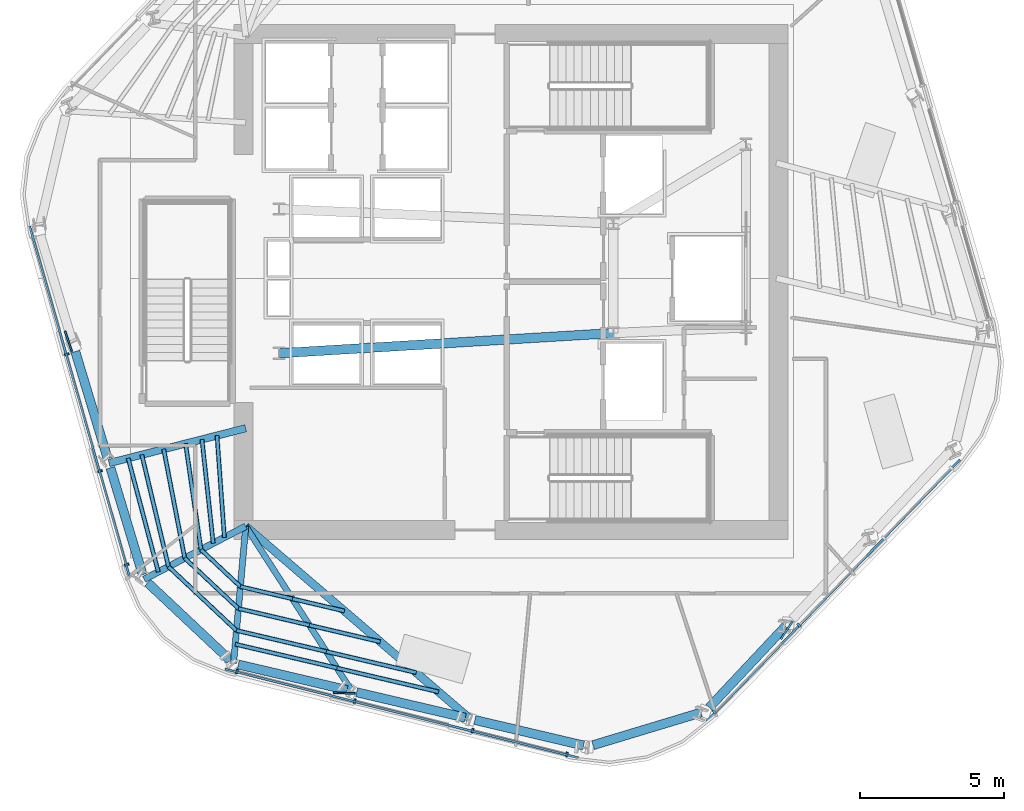
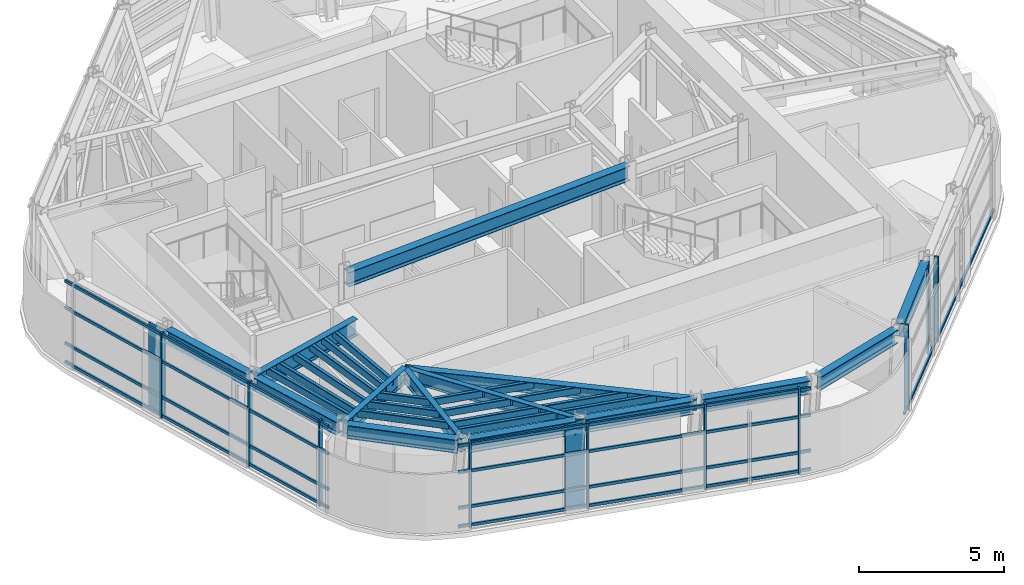
# One storey, part 2 of 13: 38 members, 14 beams, 3 elements without a shape of their own.
"""IFC4 building model written with IfcOpenShell, lengths in metres."""

import ifcopenshell
import ifcopenshell.guid

model = None  # the IFC model being written
_history = None  # IfcOwnerHistory: only IFC2X3 demands one
_inside = {}  # id of a spatial element -> (the spatial element, [elements in it])
_under = {}  # id of a project, library or spatial element -> (it, [spatial elements below it])
_declared = {}  # id of a project -> (the project, [libraries it declares])
_typed = {}  # id of a type object -> (the type object, [elements of that type])
_made_of = {}  # id of a material, layer set ... -> (it, [elements and type objects made of it])


def new_model(schema):
    """Start an empty IFC model of exactly this schema.

    Asked for "IFC4X3", IfcOpenShell would pick the latest addendum, in which some entities
    have other attributes; the version numbers below select the first issue.
    IFC2X3 requires an IfcOwnerHistory on every rooted entity: one is made here for all.
    """
    global model, _history
    if schema == "IFC4X3":
        model = ifcopenshell.file(schema_version=(4, 3, 0, 0))
    else:
        model = ifcopenshell.file(schema=schema)
    _inside.clear()
    _under.clear()
    _declared.clear()
    _typed.clear()
    _made_of.clear()
    _history = None
    if model.schema == "IFC2X3":
        org = make("IfcOrganization", Name="unknown")
        user = make(
            "IfcPersonAndOrganization",
            ThePerson=make("IfcPerson", FamilyName="unknown"),
            TheOrganization=org,
        )
        app = make(
            "IfcApplication",
            ApplicationDeveloper=org,
            Version="unknown",
            ApplicationFullName="unknown",
            ApplicationIdentifier="unknown",
        )
        _history = make(
            "IfcOwnerHistory",
            OwningUser=user,
            OwningApplication=app,
            ChangeAction="ADDED",
            CreationDate=0,
        )
    return model


def make(cls, **values):
    """One entity of the class cls with the attributes given. An attribute that is None is left unset."""
    return model.create_entity(
        cls, **{name: value for name, value in values.items() if value is not None}
    )


def rooted(cls, **values):
    """An entity with a GlobalId (a new one), such as an element, a storey or a relation."""
    return make(cls, GlobalId=ifcopenshell.guid.new(), OwnerHistory=_history, **values)


def si_unit(unit_type, name, prefix=None):
    """IfcSIUnit, for example si_unit("LENGTHUNIT", "METRE", prefix="MILLI")."""
    return make("IfcSIUnit", UnitType=unit_type, Prefix=prefix, Name=name)


def assignment(units):
    """IfcUnitAssignment: the units of a project."""
    return None if units is None else make("IfcUnitAssignment", Units=units)


def point(xyz):
    """IfcCartesianPoint."""
    return None if xyz is None else make("IfcCartesianPoint", Coordinates=xyz)


def direction(xyz):
    """IfcDirection."""
    return None if xyz is None else make("IfcDirection", DirectionRatios=xyz)


def frame(location, z_axis=None, x_axis=None):
    """IfcAxis2Placement3D, a coordinate frame: its origin and axes. An axis left out is left unset."""
    return make(
        "IfcAxis2Placement3D",
        Location=point(location),
        Axis=direction(z_axis),
        RefDirection=direction(x_axis),
    )


def frame_2d(location, x_axis=None):
    """IfcAxis2Placement2D, a coordinate frame in the plane: its origin and x axis."""
    return make(
        "IfcAxis2Placement2D", Location=point(location), RefDirection=direction(x_axis)
    )


def origin():
    """The frame at (0, 0, 0) with its axes left unset."""
    return frame((0.0, 0.0, 0.0))


def origin_2d():
    """The frame at (0, 0) in the plane with its x axis left unset."""
    return frame_2d((0.0, 0.0))


def place(relative_to, where):
    """IfcLocalPlacement: puts the frame where relative to a parent placement (None: the world)."""
    return make(
        "IfcLocalPlacement", PlacementRelTo=relative_to, RelativePlacement=where
    )


def context(
    kind, dimensions, precision=None, world=None, true_north=None, identifier=None
):
    """IfcGeometricRepresentationContext, for example the 3D "Model" context."""
    return make(
        "IfcGeometricRepresentationContext",
        ContextIdentifier=identifier,
        ContextType=kind,
        CoordinateSpaceDimension=dimensions,
        Precision=precision,
        WorldCoordinateSystem=world,
        TrueNorth=true_north,
    )


def subcontext(parent, identifier, kind, view, scale=None):
    """IfcGeometricRepresentationSubContext, for example "Body" below "Model"."""
    return make(
        "IfcGeometricRepresentationSubContext",
        ContextIdentifier=identifier,
        ContextType=kind,
        ParentContext=parent,
        TargetScale=scale,
        TargetView=view,
    )


def project(units=None, contexts=None):
    """IfcProject with its units and contexts."""
    return rooted(
        "IfcProject",
        Name="project",
        RepresentationContexts=contexts,
        UnitsInContext=assignment(units),
    )


def spatial(cls, under=None, at=None, **own):
    """A site, building, storey or space (cls), placed at a placement, below another one or the project."""
    s = rooted(cls, ObjectPlacement=at, **own)
    if under is not None:
        _under.setdefault(under.id(), (under, []))[1].append(s)
    return s


def profile(cls, at=None, kind="AREA", **sizes):
    """A parametric profile (cls). Its sizes go by their IFC names, for example OverallWidth=200.0."""
    return make(cls, ProfileType=kind, Position=at, **sizes)


def rectangle(**sizes):
    """IfcRectangleProfileDef."""
    return profile("IfcRectangleProfileDef", **sizes)


def hollow_rectangle(**sizes):
    """IfcRectangleHollowProfileDef."""
    return profile("IfcRectangleHollowProfileDef", **sizes)


def i_section(**sizes):
    """IfcIShapeProfileDef."""
    return profile("IfcIShapeProfileDef", **sizes)


def extrude(swept, where, along, depth):
    """IfcExtrudedAreaSolid: the profile swept, set in the frame where, extruded along a direction by depth."""
    return make(
        "IfcExtrudedAreaSolid",
        SweptArea=swept,
        Position=where,
        ExtrudedDirection=direction(along),
        Depth=depth,
    )


def shape(context_of_items, identifier, shape_type, items):
    """IfcShapeRepresentation: the items that make up one representation, for example the "Body"."""
    return make(
        "IfcShapeRepresentation",
        ContextOfItems=context_of_items,
        RepresentationIdentifier=identifier,
        RepresentationType=shape_type,
        Items=items,
    )


def material(Name=None, Category=None):
    """IfcMaterial."""
    return make("IfcMaterial", Name=Name, Category=Category)


def layer(
    of_material, thickness, ventilated=None, Name=None, Category=None, Priority=None
):
    """IfcMaterialLayer: one layer of a wall or slab, of a material (None: an air gap)."""
    return make(
        "IfcMaterialLayer",
        Material=of_material,
        LayerThickness=thickness,
        IsVentilated=ventilated,
        Name=Name,
        Category=Category,
        Priority=Priority,
    )


def layer_set(layers, Name=None):
    """IfcMaterialLayerSet."""
    return make("IfcMaterialLayerSet", MaterialLayers=layers, LayerSetName=Name)


def material_profile(
    of_material, cross_section, Name=None, Category=None, Priority=None
):
    """IfcMaterialProfile: a cross section and its material."""
    return make(
        "IfcMaterialProfile",
        Name=Name,
        Material=of_material,
        Profile=cross_section,
        Priority=Priority,
        Category=Category,
    )


def profile_set(profiles, Name=None, composite=None):
    """IfcMaterialProfileSet."""
    return make(
        "IfcMaterialProfileSet",
        Name=Name,
        MaterialProfiles=profiles,
        CompositeProfile=composite,
    )


def made_of(thing, what):
    """Note that an element or type object is made of a material, layer set ...; save() writes the relation."""
    if what is not None:
        _made_of.setdefault(what.id(), (what, []))[1].append(thing)
    return thing


def type_object(cls, material=None, **own):
    """A type object (cls), such as IfcWallType, which elements share."""
    return made_of(rooted(cls, **own), material)


def element(
    cls,
    number,
    at=None,
    inside=None,
    cuts=None,
    type_object=None,
    material=None,
    context=None,
    identifier="Body",
    shape_type=None,
    held_by="IfcProductDefinitionShape",
    body=None,
    shapes=None,
    **own,
):
    """One element of the class cls, such as IfcWall. Its Tag is "e" and its number.

    at: its placement. inside: the storey or other place that contains it. cuts: it is an
    opening in that element (IfcRelVoidsElement). A single representation is given by context,
    identifier, shape_type and body (its items); several are given by shapes. held_by: the class
    of the entity that holds the representations. save() writes the other relations.
    """
    e = rooted(cls, Tag="e%d" % number, ObjectPlacement=at, **own)
    if body is not None:
        shapes = [shape(context, identifier, shape_type, body)]
    if shapes is not None:
        e.Representation = make(held_by, Representations=shapes)
    if inside is not None:
        _inside.setdefault(inside.id(), (inside, []))[1].append(e)
    if cuts is not None:
        rooted(
            "IfcRelVoidsElement", RelatingBuildingElement=cuts, RelatedOpeningElement=e
        )
    if type_object is not None:
        _typed.setdefault(type_object.id(), (type_object, []))[1].append(e)
    return made_of(e, material)


def aggregate(whole, parts):
    """IfcRelAggregates: a whole, such as a stair, and the parts it consists of."""
    return rooted("IfcRelAggregates", RelatingObject=whole, RelatedObjects=parts)


def save(model, path):
    """Write the relations noted so far, then the file.

    IfcRelAggregates (storeys below a building ...), IfcRelContainedInSpatialStructure (elements
    in a storey), IfcRelDefinesByType, IfcRelAssociatesMaterial and IfcRelDeclares: one each for
    every whole, place, type object, material and project.
    """
    for whole, parts in _under.values():
        aggregate(whole, parts)
    for where, things in _inside.values():
        rooted(
            "IfcRelContainedInSpatialStructure",
            RelatedElements=things,
            RelatingStructure=where,
        )
    for kind, things in _typed.values():
        rooted("IfcRelDefinesByType", RelatedObjects=things, RelatingType=kind)
    for what, things in _made_of.values():
        rooted("IfcRelAssociatesMaterial", RelatedObjects=things, RelatingMaterial=what)
    for by, libraries in _declared.values():
        rooted("IfcRelDeclares", RelatingContext=by, RelatedDefinitions=libraries)
    model.write(path)


model = new_model("IFC4")

# Units and contexts
model_context = context("Model", 3, precision=1e-05, world=origin(), true_north=direction((0.0, 1.0)))
body_context = subcontext(model_context, "Body", "Model", "MODEL_VIEW")
ifc_project = project(units=[si_unit("LENGTHUNIT", "METRE"), si_unit("AREAUNIT", "SQUARE_METRE"), si_unit("VOLUMEUNIT", "CUBIC_METRE"), si_unit("PLANEANGLEUNIT", "RADIAN"), si_unit("MASSUNIT", "GRAM", prefix="KILO")], contexts=[model_context])

# Site, building, storey
site_placement = place(None, origin())
site = spatial("IfcSite", under=ifc_project, at=site_placement, CompositionType="ELEMENT")
building_placement = place(site_placement, origin())
building = spatial("IfcBuilding", under=site, at=building_placement, Name="Valkerne Bourse Tower", CompositionType="ELEMENT")
storey_placement = place(building_placement, frame((0.0, 0.0, 220.800048828125)))
storey = spatial("IfcBuildingStorey", under=building, at=storey_placement, Name="L56", CompositionType="ELEMENT", Elevation=220.800048828125)

# Beams
ifc_material_1 = material(Name="Steel ASTM A992", Category="steel")
ifc_material_profile_1 = material_profile(ifc_material_1, i_section(OverallWidth=0.279296875, OverallDepth=0.46240234375, WebThickness=0.0107421875, FlangeThickness=0.017333984375, FilletRadius=0.017822265625, at=origin_2d()), Name="W18X76")
ifc_profile_set_1 = profile_set([ifc_material_profile_1], Name="Steel ASTM A992")
beam_type_1 = type_object("IfcBeamType", Name="BM-W18X76", PredefinedType="BEAM", material=ifc_profile_set_1)
beam_1_placement = place(storey_placement, frame((45.379638671875, 11.721923828125, 3.36865234375), z_axis=(-0.758784075226, 0.651342250421, 0.0), x_axis=(-0.651342250421, -0.758784075226, 0.0)))
element("IfcBeam", 1, at=beam_1_placement, inside=storey, type_object=beam_type_1, Name="L56 Radial Composite Floor Beam 14", PredefinedType="BEAM", context=body_context, shape_type="SweptSolid", body=[
    extrude(i_section(OverallWidth=0.279296875, OverallDepth=0.46240234375, WebThickness=0.0107421875, FlangeThickness=0.017333984375, FilletRadius=0.017822265625, at=origin_2d()), origin(), (0.0, 0.0, 1.0), 10.252685546875),
])
ifc_material_profile_2 = material_profile(ifc_material_1, i_section(OverallWidth=0.31494140625, OverallDepth=0.5537109375, WebThickness=0.0166015625, FlangeThickness=0.026123046875, FilletRadius=0.020263671875, at=origin_2d()), Name="W21X132")
ifc_profile_set_2 = profile_set([ifc_material_profile_2], Name="Steel ASTM A992")
beam_type_2 = type_object("IfcBeamType", Name="BM-W21X132", PredefinedType="BEAM", material=ifc_profile_set_2)
for number, where, z_axis, x_axis, name in (
    (2, (31.690185546875, 24.46044921875, 3.3232421875), (0.289088542169, -0.957302363304, 0.0), (0.957302363304, 0.289088542169, 0.0), "L56 Hexagonal Spandrel Ring Beam 09"),
    (3, (32.90771484375, 20.42822265625, 3.3232421875), (0.289030758957, -0.957319810918, 0.0), (0.957319810918, 0.289030758957, 0.0), "L56 Hexagonal Spandrel Ring Beam 10"),
):
    element("IfcBeam", number, at=place(storey_placement, frame(where, z_axis=z_axis, x_axis=x_axis)), inside=storey, type_object=beam_type_2, Name=name, PredefinedType="BEAM", context=body_context, shape_type="SweptSolid", body=[
        extrude(i_section(OverallWidth=0.31494140625, OverallDepth=0.5537109375, WebThickness=0.0166015625, FlangeThickness=0.026123046875, FilletRadius=0.020263671875, at=origin_2d()), origin(), (0.0, 0.0, 1.0), 3.8720703125),
    ])
beam_2_placement = place(storey_placement, frame((34.199951171875, 16.4423828125, 3.3232421875), z_axis=(0.728984769201, -0.684529916273, 0.0), x_axis=(0.684529916273, 0.728984769201, 0.0)))
element("IfcBeam", 4, at=beam_2_placement, inside=storey, type_object=beam_type_2, Name="L56 Hexagonal Spandrel Ring Beam 11", PredefinedType="BEAM", context=body_context, shape_type="SweptSolid", body=[
    extrude(i_section(OverallWidth=0.31494140625, OverallDepth=0.5537109375, WebThickness=0.0166015625, FlangeThickness=0.026123046875, FilletRadius=0.020263671875, at=origin_2d()), origin(), (0.0, 0.0, 1.0), 3.915771484375),
])
beam_3_placement = place(storey_placement, frame((37.34375, 13.606689453125, 3.3232421875), z_axis=(0.973574050582, -0.228371556972, 0.0), x_axis=(0.228371556972, 0.973574050582, 0.0)))
element("IfcBeam", 5, at=beam_3_placement, inside=storey, type_object=beam_type_2, Name="L56 Hexagonal Spandrel Ring Beam 12", PredefinedType="BEAM", context=body_context, shape_type="SweptSolid", body=[
    extrude(i_section(OverallWidth=0.31494140625, OverallDepth=0.5537109375, WebThickness=0.0166015625, FlangeThickness=0.026123046875, FilletRadius=0.020263671875, at=origin_2d()), origin(), (0.0, 0.0, 1.0), 3.8720703125),
])
beam_4_placement = place(storey_placement, frame((41.444580078125, 12.64501953125, 3.3232421875), z_axis=(0.973570761932, -0.228385576407, 0.0), x_axis=(0.228385576407, 0.973570761932, 0.0)))
element("IfcBeam", 6, at=beam_4_placement, inside=storey, type_object=beam_type_2, Name="L56 Hexagonal Spandrel Ring Beam 13", PredefinedType="BEAM", context=body_context, shape_type="SweptSolid", body=[
    extrude(i_section(OverallWidth=0.31494140625, OverallDepth=0.5537109375, WebThickness=0.0166015625, FlangeThickness=0.026123046875, FilletRadius=0.020263671875, at=origin_2d()), origin(), (0.0, 0.0, 1.0), 3.871826171875),
])
beam_5_placement = place(storey_placement, frame((45.545166015625, 11.68310546875, 3.3232421875), z_axis=(0.973574050582, -0.228371556972, 0.0), x_axis=(0.228371556972, 0.973574050582, 0.0)))
element("IfcBeam", 7, at=beam_5_placement, inside=storey, type_object=beam_type_2, Name="L56 Hexagonal Spandrel Ring Beam 14", PredefinedType="BEAM", context=body_context, shape_type="SweptSolid", body=[
    extrude(i_section(OverallWidth=0.31494140625, OverallDepth=0.5537109375, WebThickness=0.0166015625, FlangeThickness=0.026123046875, FilletRadius=0.020263671875, at=origin_2d()), origin(), (0.0, 0.0, 1.0), 3.8720703125),
])
beam_6_placement = place(storey_placement, frame((49.64306640625, 10.80908203125, 3.3232421875), z_axis=(0.957313388564, 0.28905203005, 0.0), x_axis=(-0.28905203005, 0.957313388564, 0.0)))
element("IfcBeam", 8, at=beam_6_placement, inside=storey, type_object=beam_type_2, Name="L56 Hexagonal Spandrel Ring Beam 15", PredefinedType="BEAM", context=body_context, shape_type="SweptSolid", body=[
    extrude(i_section(OverallWidth=0.31494140625, OverallDepth=0.5537109375, WebThickness=0.0166015625, FlangeThickness=0.026123046875, FilletRadius=0.020263671875, at=origin_2d()), origin(), (0.0, 0.0, 1.0), 3.915771484375),
])
beam_7_placement = place(storey_placement, frame((53.6708984375, 12.114013671875, 3.3232421875), z_axis=(0.684530297446, 0.728984411273, 0.0), x_axis=(-0.728984411273, 0.684530297446, 0.0)))
element("IfcBeam", 9, at=beam_7_placement, inside=storey, type_object=beam_type_2, Name="L56 Hexagonal Spandrel Ring Beam 16", PredefinedType="BEAM", context=body_context, shape_type="SweptSolid", body=[
    extrude(i_section(OverallWidth=0.31494140625, OverallDepth=0.5537109375, WebThickness=0.0166015625, FlangeThickness=0.026123046875, FilletRadius=0.020263671875, at=origin_2d()), origin(), (0.0, 0.0, 1.0), 3.871826171875),
])
ifc_material_profile_3 = material_profile(ifc_material_1, i_section(OverallWidth=0.209228515625, OverallDepth=0.533447265625, WebThickness=0.01025390625, FlangeThickness=0.015625, FilletRadius=0.017822265625, at=origin_2d()), Name="W21X62")
ifc_profile_set_3 = profile_set([ifc_material_profile_3], Name="Steel ASTM A992")
beam_type_3 = type_object("IfcBeamType", Name="BM-W21X62", PredefinedType="JOIST", material=ifc_profile_set_3)
beam_8_placement = place(storey_placement, frame((41.279052734375, 12.68359375, 3.333251953125), z_axis=(-0.541193158417, 0.840898308526, 0.0), x_axis=(-0.840898308526, -0.541193158417, 0.0)))
element("IfcBeam", 10, at=beam_8_placement, inside=storey, type_object=beam_type_3, Name="L56 Radial Composite Floor Beam 13", PredefinedType="JOIST", context=body_context, shape_type="SweptSolid", body=[
    extrude(i_section(OverallWidth=0.209228515625, OverallDepth=0.533447265625, WebThickness=0.01025390625, FlangeThickness=0.015625, FilletRadius=0.017822265625, at=origin_2d()), origin(), (0.0, 0.0, 1.0), 6.7978515625),
])
ifc_material_profile_4 = material_profile(ifc_material_1, i_section(OverallWidth=0.2138671875, OverallDepth=0.548583984375, WebThickness=0.0146484375, FlangeThickness=0.023681640625, FilletRadius=0.017822265625, at=origin_2d()), Name="W21X93")
ifc_profile_set_4 = profile_set([ifc_material_profile_4], Name="Steel ASTM A992")
beam_type_4 = type_object("IfcBeamType", Name="BM-W21X93", PredefinedType="BEAM", material=ifc_profile_set_4)
beam_9_placement = place(storey_placement, frame((37.17822265625, 13.6455078125, 3.32568359375), z_axis=(0.088386415779, 0.996086262081, 0.0), x_axis=(-0.996086262081, 0.088386415779, 0.0)))
element("IfcBeam", 11, at=beam_9_placement, inside=storey, type_object=beam_type_4, Name="L56 Radial Composite Floor Beam 12", PredefinedType="BEAM", context=body_context, shape_type="SweptSolid", body=[
    extrude(i_section(OverallWidth=0.2138671875, OverallDepth=0.548583984375, WebThickness=0.0146484375, FlangeThickness=0.023681640625, FilletRadius=0.017822265625, at=origin_2d()), origin(), (0.0, 0.0, 1.0), 4.773193359375),
])
ifc_material_profile_5 = material_profile(ifc_material_1, i_section(OverallWidth=0.3251953125, OverallDepth=0.612060546875, WebThickness=0.0126953125, FlangeThickness=0.01904296875, FilletRadius=0.020263671875, at=origin_2d()), Name="W24X104")
ifc_profile_set_5 = profile_set([ifc_material_profile_5], Name="Steel ASTM A992")
beam_type_5 = type_object("IfcBeamType", Name="BM-W24X104", PredefinedType="BEAM", material=ifc_profile_set_5)
beam_10_placement = place(storey_placement, frame((38.75, 24.39990234375, 3.2939453125), z_axis=(0.998183228389, 0.060251494276, 0.0), x_axis=(-0.060251494276, 0.998183228389, 0.0)))
element("IfcBeam", 12, at=beam_10_placement, inside=storey, type_object=beam_type_5, Name="L56 Core Frame Girder CG-SW", PredefinedType="BEAM", context=body_context, shape_type="SweptSolid", body=[
    extrude(i_section(OverallWidth=0.3251953125, OverallDepth=0.612060546875, WebThickness=0.0126953125, FlangeThickness=0.01904296875, FilletRadius=0.020263671875, at=origin_2d()), origin(), (0.0, 0.0, 1.0), 11.62109375),
])
ifc_material_profile_6 = material_profile(ifc_material_1, i_section(OverallWidth=0.228271484375, OverallDepth=0.607177734375, WebThickness=0.01123046875, FlangeThickness=0.017333984375, FilletRadius=0.017822265625, at=origin_2d()), Name="W24X76")
ifc_profile_set_6 = profile_set([ifc_material_profile_6], Name="Steel ASTM A992")
beam_type_6 = type_object("IfcBeamType", Name="BM-W24X76", PredefinedType="JOIST", material=ifc_profile_set_6)
beam_11_placement = place(storey_placement, frame((34.075927734375, 16.55859375, 3.29638671875), z_axis=(0.886315373299, 0.463082129922, 0.0), x_axis=(-0.463082129922, 0.886315373299, 0.0)))
element("IfcBeam", 13, at=beam_11_placement, inside=storey, type_object=beam_type_6, Name="L56 Radial Composite Floor Beam 11", PredefinedType="JOIST", context=body_context, shape_type="SweptSolid", body=[
    extrude(i_section(OverallWidth=0.228271484375, OverallDepth=0.607177734375, WebThickness=0.01123046875, FlangeThickness=0.017333984375, FilletRadius=0.017822265625, at=origin_2d()), origin(), (0.0, 0.0, 1.0), 3.976318359375),
])
ifc_material_profile_7 = material_profile(ifc_material_1, i_section(OverallWidth=0.255859375, OverallDepth=0.693359375, WebThickness=0.014404296875, FlangeThickness=0.023681640625, FilletRadius=0.02294921875, at=origin_2d()), Name="W27X114")
ifc_profile_set_7 = profile_set([ifc_material_profile_7], Name="Steel ASTM A992")
beam_type_7 = type_object("IfcBeamType", Name="BM-W27X114", PredefinedType="BEAM", material=ifc_profile_set_7)
beam_12_placement = place(storey_placement, frame((32.858642578125, 20.591064453125, 3.253173828125), z_axis=(0.968996033915, 0.247076276193, 0.0), x_axis=(-0.247076276193, 0.968996033915, 0.0)))
element("IfcBeam", 14, at=beam_12_placement, inside=storey, type_object=beam_type_7, Name="L56 Radial Composite Floor Beam 10", PredefinedType="BEAM", context=body_context, shape_type="SweptSolid", body=[
    extrude(i_section(OverallWidth=0.255859375, OverallDepth=0.693359375, WebThickness=0.014404296875, FlangeThickness=0.023681640625, FilletRadius=0.02294921875, at=origin_2d()), origin(), (0.0, 0.0, 1.0), 4.89306640625),
])

# Curtain wall, members
ifc_material_2 = material(Name="Aluminium AA 6063-T6", Category="aluminium")
ifc_layer = layer(ifc_material_2, 0.239990234375)
ifc_layer_set = layer_set([ifc_layer], Name="Aluminium AA 6063-T6")
curtain_wall_type = type_object("IfcCurtainWallType", Name="CW-04", PredefinedType="NOTDEFINED", material=ifc_layer_set)
curtain_wall_1_placement = place(storey_placement, origin())
curtain_wall_1 = element("IfcCurtainWall", 15, at=curtain_wall_1_placement, inside=storey, type_object=curtain_wall_type, Name="L56 Hexagonal Stick Curtain Wall Face 3", PredefinedType="NOTDEFINED")
ifc_material_profile_8 = material_profile(ifc_material_2, rectangle(XDim=0.074951171875, YDim=0.159912109375, at=origin_2d()), Name="CWM-75X160")
ifc_profile_set_8 = profile_set([ifc_material_profile_8], Name="Aluminium AA 6063-T6")
member_type_1 = type_object("IfcMemberType", Name="CW-MUL-160X75", PredefinedType="MULLION", material=ifc_profile_set_8)
member_1_placement = place(storey_placement, frame((31.393798828125, 24.364501953125, 0.0), z_axis=(0.0, 0.0, 1.0), x_axis=(0.27395280214, -0.961743137329, 0.0)))
member_1 = element("IfcMember", 16, at=member_1_placement, type_object=member_type_1, Name="CW-L56-F3 Jamb Mullion 01A", PredefinedType="MULLION", context=body_context, shape_type="SweptSolid", body=[
    extrude(rectangle(XDim=0.074951171875, YDim=0.159912109375, at=origin_2d()), origin(), (0.0, 0.0, 1.0), 3.599853515625),
])
member_2_placement = place(storey_placement, frame((32.5478515625, 20.313720703125, 0.0), z_axis=(0.0, 0.0, 1.0), x_axis=(0.273959057484, -0.961741355471, 0.0)))
member_2 = element("IfcMember", 17, at=member_2_placement, type_object=member_type_1, Name="CW-L56-F3 Jamb Mullion 02A", PredefinedType="MULLION", context=body_context, shape_type="SweptSolid", body=[
    extrude(rectangle(XDim=0.074951171875, YDim=0.159912109375, at=origin_2d()), origin(), (0.0, 0.0, 1.0), 3.599853515625),
])
member_3_placement = place(storey_placement, frame((33.471435546875, 17.07080078125, 0.0), z_axis=(0.0, 0.0, 1.0), x_axis=(0.273959057484, -0.961741355471, 0.0)))
member_3 = element("IfcMember", 18, at=member_3_placement, type_object=member_type_1, Name="CW-L56-F3 Jamb Mullion 02B", PredefinedType="MULLION", context=body_context, shape_type="SweptSolid", body=[
    extrude(rectangle(XDim=0.074951171875, YDim=0.159912109375, at=origin_2d()), origin(), (0.0, 0.0, 1.0), 3.599853515625),
])

curtain_wall_2_placement = place(storey_placement, origin())
curtain_wall_2 = element("IfcCurtainWall", 19, at=curtain_wall_2_placement, inside=storey, type_object=curtain_wall_type, Name="L56 Hexagonal Stick Curtain Wall Face 4", PredefinedType="NOTDEFINED")
member_4_placement = place(storey_placement, frame((37.294189453125, 13.3662109375, 0.0), z_axis=(0.0, 0.0, 1.0), x_axis=(0.96987236288, -0.243613627949, 0.0)))
member_4 = element("IfcMember", 20, at=member_4_placement, type_object=member_type_1, Name="CW-L56-F4 Jamb Mullion 00A", PredefinedType="MULLION", context=body_context, shape_type="SweptSolid", body=[
    extrude(rectangle(XDim=0.074951171875, YDim=0.159912109375, at=origin_2d()), origin(), (0.0, 0.0, 1.0), 3.599853515625),
])
member_5_placement = place(storey_placement, frame((41.37939453125, 12.340087890625, 0.0), z_axis=(0.0, 0.0, 1.0), x_axis=(0.96987236288, -0.243613627949, 0.0)))
member_5 = element("IfcMember", 21, at=member_5_placement, type_object=member_type_1, Name="CW-L56-F4 Jamb Mullion 01A", PredefinedType="MULLION", context=body_context, shape_type="SweptSolid", body=[
    extrude(rectangle(XDim=0.074951171875, YDim=0.159912109375, at=origin_2d()), origin(), (0.0, 0.0, 1.0), 3.599853515625),
])
member_6_placement = place(storey_placement, frame((45.46435546875, 11.31396484375, 0.0), z_axis=(0.0, 0.0, 1.0), x_axis=(0.96987236288, -0.243613627949, 0.0)))
member_6 = element("IfcMember", 22, at=member_6_placement, type_object=member_type_1, Name="CW-L56-F4 Jamb Mullion 02A", PredefinedType="MULLION", context=body_context, shape_type="SweptSolid", body=[
    extrude(rectangle(XDim=0.074951171875, YDim=0.159912109375, at=origin_2d()), origin(), (0.0, 0.0, 1.0), 3.599853515625),
])
member_7_placement = place(storey_placement, frame((48.73486328125, 10.49267578125, 0.0), z_axis=(0.0, 0.0, 1.0), x_axis=(0.96987236288, -0.243613627949, 0.0)))
member_7 = element("IfcMember", 23, at=member_7_placement, type_object=member_type_1, Name="CW-L56-F4 Jamb Mullion 02B", PredefinedType="MULLION", context=body_context, shape_type="SweptSolid", body=[
    extrude(rectangle(XDim=0.074951171875, YDim=0.159912109375, at=origin_2d()), origin(), (0.0, 0.0, 1.0), 3.599853515625),
])

curtain_wall_3_placement = place(storey_placement, origin())
curtain_wall_3 = element("IfcCurtainWall", 24, at=curtain_wall_3_placement, inside=storey, type_object=curtain_wall_type, Name="L56 Hexagonal Stick Curtain Wall Face 5", PredefinedType="NOTDEFINED")
member_8_placement = place(storey_placement, frame((53.854248046875, 11.950927734375, 0.0), z_axis=(0.0, 0.0, 1.0), x_axis=(0.695920361161, 0.718118967108, 0.0)))
member_8 = element("IfcMember", 25, at=member_8_placement, type_object=member_type_1, Name="CW-L56-F5 Jamb Mullion 00A", PredefinedType="MULLION", context=body_context, shape_type="SweptSolid", body=[
    extrude(rectangle(XDim=0.074951171875, YDim=0.159912109375, at=origin_2d()), origin(), (0.0, 0.0, 1.0), 3.599853515625),
])
member_9_placement = place(storey_placement, frame((56.785400390625, 14.9755859375, 0.0), z_axis=(0.0, 0.0, 1.0), x_axis=(0.695908496203, 0.718130465105, 0.0)))
member_9 = element("IfcMember", 26, at=member_9_placement, type_object=member_type_1, Name="CW-L56-F5 Jamb Mullion 01A", PredefinedType="MULLION", context=body_context, shape_type="SweptSolid", body=[
    extrude(rectangle(XDim=0.074951171875, YDim=0.159912109375, at=origin_2d()), origin(), (0.0, 0.0, 1.0), 3.599853515625),
])

# Member
ifc_material_profile_9 = material_profile(ifc_material_2, rectangle(XDim=0.074951171875, YDim=0.1201171875, at=origin_2d()), Name="CWT-75X120")
ifc_profile_set_9 = profile_set([ifc_material_profile_9], Name="Aluminium AA 6063-T6")
member_type_2 = type_object("IfcMemberType", Name="CW-TRN-120X75", PredefinedType="USERDEFINED", material=ifc_profile_set_9)
member_10_placement = place(storey_placement, frame((30.105712890625, 28.813720703125, 0.119873046875), z_axis=(0.273958028661, -0.961741648538, 0.0), x_axis=(0.961741648538, 0.273958028661, 0.0)))
member_10 = element("IfcMember", 27, at=member_10_placement, type_object=member_type_2, Name="CW-L56-F3 Continuous Face Transom 1", ObjectType="TRANSOM", PredefinedType="USERDEFINED", context=body_context, shape_type="SweptSolid", body=[
    extrude(rectangle(XDim=0.074951171875, YDim=0.1201171875, at=origin_2d()), origin(), (0.0, 0.0, 1.0), 12.6357421875),
])

member_11_placement = place(storey_placement, frame((30.105712890625, 28.813720703125, 0.89990234375), z_axis=(0.273958028661, -0.961741648538, 0.0), x_axis=(0.961741648538, 0.273958028661, 0.0)))
member_11 = element("IfcMember", 28, at=member_11_placement, type_object=member_type_2, Name="CW-L56-F3 Continuous Face Transom 2", ObjectType="TRANSOM", PredefinedType="USERDEFINED", context=body_context, shape_type="SweptSolid", body=[
    extrude(rectangle(XDim=0.074951171875, YDim=0.1201171875, at=origin_2d()), origin(), (0.0, 0.0, 1.0), 12.6357421875),
])

member_12_placement = place(storey_placement, frame((30.105712890625, 28.813720703125, 2.39990234375), z_axis=(0.273958028661, -0.961741648538, 0.0), x_axis=(0.961741648538, 0.273958028661, 0.0)))
member_12 = element("IfcMember", 29, at=member_12_placement, type_object=member_type_2, Name="CW-L56-F3 Continuous Face Transom 3", ObjectType="TRANSOM", PredefinedType="USERDEFINED", context=body_context, shape_type="SweptSolid", body=[
    extrude(rectangle(XDim=0.074951171875, YDim=0.1201171875, at=origin_2d()), origin(), (0.0, 0.0, 1.0), 12.6357421875),
])

member_13_placement = place(storey_placement, frame((30.105712890625, 28.813720703125, 3.52001953125), z_axis=(0.273958028661, -0.961741648538, 0.0), x_axis=(0.961741648538, 0.273958028661, 0.0)))
member_13 = element("IfcMember", 30, at=member_13_placement, type_object=member_type_2, Name="CW-L56-F3 Continuous Face Transom 4", ObjectType="TRANSOM", PredefinedType="USERDEFINED", context=body_context, shape_type="SweptSolid", body=[
    extrude(rectangle(XDim=0.074951171875, YDim=0.1201171875, at=origin_2d()), origin(), (0.0, 0.0, 1.0), 12.6357421875),
])

aggregate(curtain_wall_1, [member_10, member_11, member_12, member_13, member_1, member_2, member_3])

member_14_placement = place(storey_placement, frame((36.882080078125, 13.44921875, 0.119873046875), z_axis=(0.96987025724, -0.243622010748, 0.0), x_axis=(0.243622010748, 0.96987025724, 0.0)))
member_14 = element("IfcMember", 31, at=member_14_placement, type_object=member_type_2, Name="CW-L56-F4 Continuous Face Transom 1", ObjectType="TRANSOM", PredefinedType="USERDEFINED", context=body_context, shape_type="SweptSolid", body=[
    extrude(rectangle(XDim=0.074951171875, YDim=0.1201171875, at=origin_2d()), origin(), (0.0, 0.0, 1.0), 12.6357421875),
])

member_15_placement = place(storey_placement, frame((36.882080078125, 13.44921875, 0.89990234375), z_axis=(0.96987025724, -0.243622010748, 0.0), x_axis=(0.243622010748, 0.96987025724, 0.0)))
member_15 = element("IfcMember", 32, at=member_15_placement, type_object=member_type_2, Name="CW-L56-F4 Continuous Face Transom 2", ObjectType="TRANSOM", PredefinedType="USERDEFINED", context=body_context, shape_type="SweptSolid", body=[
    extrude(rectangle(XDim=0.074951171875, YDim=0.1201171875, at=origin_2d()), origin(), (0.0, 0.0, 1.0), 12.6357421875),
])

member_16_placement = place(storey_placement, frame((36.882080078125, 13.44921875, 2.39990234375), z_axis=(0.96987025724, -0.243622010748, 0.0), x_axis=(0.243622010748, 0.96987025724, 0.0)))
member_16 = element("IfcMember", 33, at=member_16_placement, type_object=member_type_2, Name="CW-L56-F4 Continuous Face Transom 3", ObjectType="TRANSOM", PredefinedType="USERDEFINED", context=body_context, shape_type="SweptSolid", body=[
    extrude(rectangle(XDim=0.074951171875, YDim=0.1201171875, at=origin_2d()), origin(), (0.0, 0.0, 1.0), 12.6357421875),
])

member_17_placement = place(storey_placement, frame((36.882080078125, 13.44921875, 3.52001953125), z_axis=(0.96987025724, -0.243622010748, 0.0), x_axis=(0.243622010748, 0.96987025724, 0.0)))
member_17 = element("IfcMember", 34, at=member_17_placement, type_object=member_type_2, Name="CW-L56-F4 Continuous Face Transom 4", ObjectType="TRANSOM", PredefinedType="USERDEFINED", context=body_context, shape_type="SweptSolid", body=[
    extrude(rectangle(XDim=0.074951171875, YDim=0.1201171875, at=origin_2d()), origin(), (0.0, 0.0, 1.0), 12.6357421875),
])

aggregate(curtain_wall_2, [member_14, member_15, member_16, member_17, member_4, member_5, member_6, member_7])

member_18_placement = place(storey_placement, frame((53.576416015625, 11.635498046875, 0.119873046875), z_axis=(0.695909829674, 0.718129172895, 0.0), x_axis=(-0.718129172895, 0.695909829674, 0.0)))
member_18 = element("IfcMember", 35, at=member_18_placement, type_object=member_type_2, Name="CW-L56-F5 Continuous Face Transom 1", ObjectType="TRANSOM", PredefinedType="USERDEFINED", context=body_context, shape_type="SweptSolid", body=[
    extrude(rectangle(XDim=0.074951171875, YDim=0.1201171875, at=origin_2d()), origin(), (0.0, 0.0, 1.0), 12.635986328125),
])

aggregate(curtain_wall_3, [member_18, member_8, member_9])

# Members
ifc_material_3 = material(Name="Bronze Anodised Aluminium AA 6063-T6", Category="aluminium")
ifc_material_profile_10 = material_profile(ifc_material_3, rectangle(XDim=0.06494140625, YDim=0.75, at=origin_2d()), Name="FIN-65X750")
ifc_profile_set_10 = profile_set([ifc_material_profile_10], Name="Bronze Anodised Aluminium AA 6063-T6")
member_type_3 = type_object("IfcMemberType", Name="FIN-SOLAR-650", PredefinedType="USERDEFINED", material=ifc_profile_set_10)
for number, where, z_axis, x_axis, name in (
    (36, (31.451904296875, 24.81787109375, 0.00390625), (0.0, 0.0, 1.0), (-0.949389668635, -0.314100711698, 0.0), "L56 Bronze Anodised Solar Fin F3-01"),
    (37, (41.015869140625, 12.616943359375, 0.00390625), (0.0, 0.0, 1.0), (-0.016625098356, -0.999861793502, 0.0), "L56 Bronze Anodised Solar Fin F4-01"),
    (38, (56.364013671875, 14.79931640625, 0.00390625), (0.0, 0.0, 1.0), (0.835237740265, -0.54988900447, 0.0), "L56 Bronze Anodised Solar Fin F5-01"),
):
    element("IfcMember", number, at=place(storey_placement, frame(where, z_axis=z_axis, x_axis=x_axis)), inside=storey, type_object=member_type_3, Name=name, ObjectType="SOLAR_FIN", PredefinedType="USERDEFINED", context=body_context, shape_type="SweptSolid", body=[
        extrude(rectangle(XDim=0.06494140625, YDim=0.75, at=origin_2d()), origin(), (0.0, 0.0, 1.0), 3.592041015625),
    ])
ifc_material_4 = material(Name="Steel ASTM A500 Grade C", Category="steel")
ifc_material_profile_11 = material_profile(ifc_material_4, hollow_rectangle(XDim=0.14990234375, YDim=0.300048828125, WallThickness=0.012451171875, OuterFilletRadius=0.02490234375, at=origin_2d()), Name="HSS300X150X12.5")
ifc_profile_set_11 = profile_set([ifc_material_profile_11], Name="Steel ASTM A500 Grade C")
member_type_4 = type_object("IfcMemberType", Name="MBR-HSS300X150X12.5", PredefinedType="PURLIN", material=ifc_profile_set_11)
member_19_placement = place(storey_placement, frame((36.082763671875, 21.4130859375, 3.43994140625), z_axis=(0.107539444703, -0.994200818664, 0.0), x_axis=(0.994200818664, 0.107539444703, 0.0)))
element("IfcMember", 39, at=member_19_placement, inside=storey, type_object=member_type_4, Name="L56 Secondary Composite Floor Purlin I-10", PredefinedType="PURLIN", context=body_context, shape_type="SweptSolid", body=[
    extrude(hollow_rectangle(XDim=0.14990234375, YDim=0.300048828125, WallThickness=0.012451171875, OuterFilletRadius=0.02490234375, at=origin_2d()), origin(), (0.0, 0.0, 1.0), 3.623291015625),
])
member_20_placement = place(storey_placement, frame((35.513916015625, 21.26806640625, 3.43994140625), z_axis=(0.144041590008, -0.989571634773, 0.0), x_axis=(0.989571634773, 0.144041590008, 0.0)))
element("IfcMember", 40, at=member_20_placement, inside=storey, type_object=member_type_4, Name="L56 Secondary Composite Floor Purlin K-10", PredefinedType="PURLIN", context=body_context, shape_type="SweptSolid", body=[
    extrude(hollow_rectangle(XDim=0.14990234375, YDim=0.300048828125, WallThickness=0.012451171875, OuterFilletRadius=0.02490234375, at=origin_2d()), origin(), (0.0, 0.0, 1.0), 3.717041015625),
])
member_21_placement = place(storey_placement, frame((36.04931640625, 17.58984375, 3.43994140625), z_axis=(0.729049133976, -0.684461365052, 0.0), x_axis=(0.684461365052, 0.729049133976, 0.0)))
element("IfcMember", 41, at=member_21_placement, inside=storey, type_object=member_type_4, Name="L56 Secondary Composite Floor Purlin K-11", PredefinedType="PURLIN", context=body_context, shape_type="SweptSolid", body=[
    extrude(hollow_rectangle(XDim=0.14990234375, YDim=0.300048828125, WallThickness=0.012451171875, OuterFilletRadius=0.02490234375, at=origin_2d()), origin(), (0.0, 0.0, 1.0), 1.87255859375),
])
for number, where, z_axis, x_axis, name in (
    (42, (37.41455078125, 16.30810546875, 3.43994140625), (0.973558656611, -0.228437173283, 0.0), (0.228437173283, 0.973558656611, 0.0), "L56 Secondary Composite Floor Purlin K-12"),
    (43, (39.21875, 15.884765625, 3.43994140625), (0.973594814098, -0.228283021625, 0.0), (0.228283021625, 0.973594814098, 0.0), "L56 Secondary Composite Floor Purlin K-13"),
):
    element("IfcMember", number, at=place(storey_placement, frame(where, z_axis=z_axis, x_axis=x_axis)), inside=storey, type_object=member_type_4, Name=name, PredefinedType="PURLIN", context=body_context, shape_type="SweptSolid", body=[
        extrude(hollow_rectangle(XDim=0.14990234375, YDim=0.300048828125, WallThickness=0.012451171875, OuterFilletRadius=0.02490234375, at=origin_2d()), origin(), (0.0, 0.0, 1.0), 1.853271484375),
    ])
member_22_placement = place(storey_placement, frame((33.99658203125, 20.881103515625, 3.43994140625), z_axis=(0.231937663954, -0.972730651331, 0.0), x_axis=(0.972730651331, 0.231937663954, 0.0)))
element("IfcMember", 44, at=member_22_placement, inside=storey, type_object=member_type_4, Name="L56 Secondary Composite Floor Purlin O-10", PredefinedType="PURLIN", context=body_context, shape_type="SweptSolid", body=[
    extrude(hollow_rectangle(XDim=0.14990234375, YDim=0.300048828125, WallThickness=0.012451171875, OuterFilletRadius=0.02490234375, at=origin_2d()), origin(), (0.0, 0.0, 1.0), 3.989501953125),
])
member_23_placement = place(storey_placement, frame((34.921875, 17.00048828125, 3.43994140625), z_axis=(0.728988464612, -0.684525980853, 0.0), x_axis=(0.684525980853, 0.728988464612, 0.0)))
element("IfcMember", 45, at=member_23_placement, inside=storey, type_object=member_type_4, Name="L56 Secondary Composite Floor Purlin O-11", PredefinedType="PURLIN", context=body_context, shape_type="SweptSolid", body=[
    extrude(hollow_rectangle(XDim=0.14990234375, YDim=0.300048828125, WallThickness=0.012451171875, OuterFilletRadius=0.02490234375, at=origin_2d()), origin(), (0.0, 0.0, 1.0), 3.234130859375),
])
member_24_placement = place(storey_placement, frame((37.279541015625, 14.78662109375, 3.43994140625), z_axis=(0.97357896595, -0.228350601179, 0.0), x_axis=(0.228350601179, 0.97357896595, 0.0)))
element("IfcMember", 46, at=member_24_placement, inside=storey, type_object=member_type_4, Name="L56 Secondary Composite Floor Purlin O-12", PredefinedType="PURLIN", context=body_context, shape_type="SweptSolid", body=[
    extrude(hollow_rectangle(XDim=0.14990234375, YDim=0.300048828125, WallThickness=0.012451171875, OuterFilletRadius=0.02490234375, at=origin_2d()), origin(), (0.0, 0.0, 1.0), 3.200927734375),
])
member_25_placement = place(storey_placement, frame((40.39599609375, 14.0556640625, 3.43994140625), z_axis=(0.973582942499, -0.228333646392, 0.0), x_axis=(0.228333646392, 0.973582942499, 0.0)))
element("IfcMember", 47, at=member_25_placement, inside=storey, type_object=member_type_4, Name="L56 Secondary Composite Floor Purlin O-13", PredefinedType="PURLIN", context=body_context, shape_type="SweptSolid", body=[
    extrude(hollow_rectangle(XDim=0.14990234375, YDim=0.300048828125, WallThickness=0.012451171875, OuterFilletRadius=0.02490234375, at=origin_2d()), origin(), (0.0, 0.0, 1.0), 3.201171875),
])
member_26_placement = place(storey_placement, frame((34.755126953125, 21.07470703125, 3.43994140625), z_axis=(0.189757653304, -0.98183095949, 0.0), x_axis=(0.98183095949, 0.189757653304, 0.0)))
element("IfcMember", 48, at=member_26_placement, inside=storey, type_object=member_type_4, Name="L56 Secondary Composite Floor Purlin Z-10", PredefinedType="PURLIN", context=body_context, shape_type="SweptSolid", body=[
    extrude(hollow_rectangle(XDim=0.14990234375, YDim=0.300048828125, WallThickness=0.012451171875, OuterFilletRadius=0.02490234375, at=origin_2d()), origin(), (0.0, 0.0, 1.0), 3.849365234375),
])
member_27_placement = place(storey_placement, frame((35.485595703125, 17.295166015625, 3.43994140625), z_axis=(0.728988311444, -0.68452614397, 0.0), x_axis=(0.68452614397, 0.728988311444, 0.0)))
element("IfcMember", 49, at=member_27_placement, inside=storey, type_object=member_type_4, Name="L56 Secondary Composite Floor Purlin Z-11", PredefinedType="PURLIN", context=body_context, shape_type="SweptSolid", body=[
    extrude(hollow_rectangle(XDim=0.14990234375, YDim=0.300048828125, WallThickness=0.012451171875, OuterFilletRadius=0.02490234375, at=origin_2d()), origin(), (0.0, 0.0, 1.0), 2.55322265625),
])
for number, where, z_axis, x_axis, name in (
    (50, (37.346923828125, 15.54736328125, 3.43994140625), (0.973574039454, -0.228371604412, 0.0), (0.228371604412, 0.973574039454, 0.0), "L56 Secondary Composite Floor Purlin Z-12"),
    (51, (39.807373046875, 14.97021484375, 3.43994140625), (0.973574039454, -0.228371604412, 0.0), (0.228371604412, 0.973574039454, 0.0), "L56 Secondary Composite Floor Purlin Z-13"),
):
    element("IfcMember", number, at=place(storey_placement, frame(where, z_axis=z_axis, x_axis=x_axis)), inside=storey, type_object=member_type_4, Name=name, PredefinedType="PURLIN", context=body_context, shape_type="SweptSolid", body=[
        extrude(hollow_rectangle(XDim=0.14990234375, YDim=0.300048828125, WallThickness=0.012451171875, OuterFilletRadius=0.02490234375, at=origin_2d()), origin(), (0.0, 0.0, 1.0), 2.52734375),
    ])
member_28_placement = place(storey_placement, frame((36.604248046875, 21.546142578125, 3.43994140625), z_axis=(0.072231532725, -0.997387891284, 0.0), x_axis=(0.997387891284, 0.072231532725, 0.0)))
element("IfcMember", 52, at=member_28_placement, inside=storey, type_object=member_type_4, Name="L56 Secondary Composite Floor Purlin S-10", PredefinedType="PURLIN", context=body_context, shape_type="SweptSolid", body=[
    extrude(hollow_rectangle(XDim=0.14990234375, YDim=0.300048828125, WallThickness=0.012451171875, OuterFilletRadius=0.02490234375, at=origin_2d()), origin(), (0.0, 0.0, 1.0), 3.542236328125),
])
member_29_placement = place(storey_placement, frame((33.5224609375, 20.76025390625, 3.43994140625), z_axis=(0.256560181373, -0.966528257907, 0.0), x_axis=(0.966528257907, 0.256560181373, 0.0)))
element("IfcMember", 53, at=member_29_placement, inside=storey, type_object=member_type_4, Name="L56 Secondary Composite Floor Purlin T-10", PredefinedType="PURLIN", context=body_context, shape_type="SweptSolid", body=[
    extrude(hollow_rectangle(XDim=0.14990234375, YDim=0.300048828125, WallThickness=0.012451171875, OuterFilletRadius=0.02490234375, at=origin_2d()), origin(), (0.0, 0.0, 1.0), 4.080322265625),
])
for number, where, z_axis, x_axis, name in (
    (54, (37.2373046875, 14.31103515625, 3.43994140625), (0.973579564602, -0.228348048797, 0.0), (0.228348048797, 0.973579564602, 0.0), "L56 Secondary Composite Floor Purlin T-12"),
    (55, (40.763916015625, 13.48388671875, 3.43994140625), (0.973579564602, -0.228348048797, 0.0), (0.228348048797, 0.973579564602, 0.0), "L56 Secondary Composite Floor Purlin T-13"),
):
    element("IfcMember", number, at=place(storey_placement, frame(where, z_axis=z_axis, x_axis=x_axis)), inside=storey, type_object=member_type_4, Name=name, PredefinedType="PURLIN", context=body_context, shape_type="SweptSolid", body=[
        extrude(hollow_rectangle(XDim=0.14990234375, YDim=0.300048828125, WallThickness=0.012451171875, OuterFilletRadius=0.02490234375, at=origin_2d()), origin(), (0.0, 0.0, 1.0), 3.622314453125),
    ])

save(model, "model.ifc")
